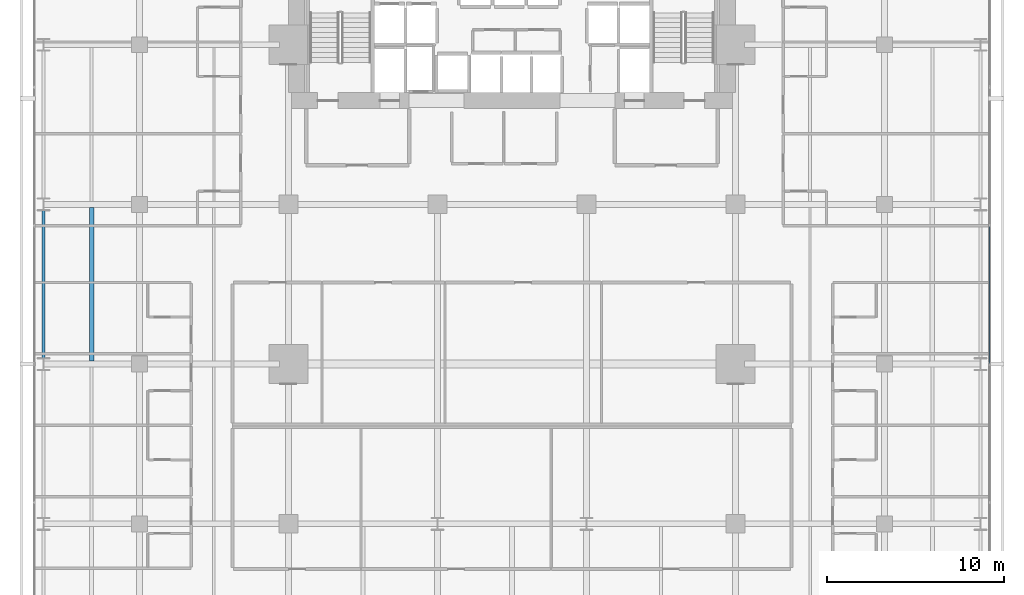
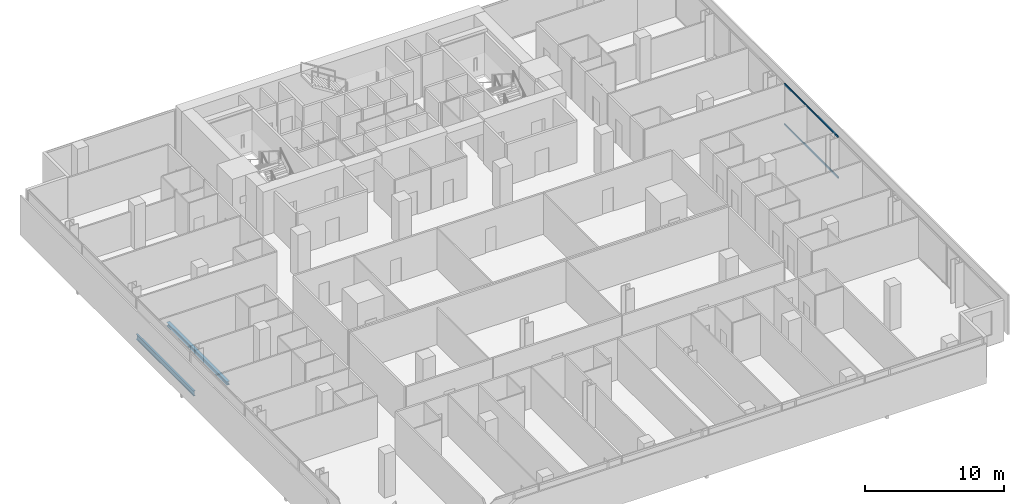
# One storey, part 20 of 41: 2 beams, 2 members, 1 element without a shape of its own.
"""IFC4 building model written with IfcOpenShell, lengths in metres."""

from ifc_helpers import new_model, si_unit, direction, frame, origin, origin_2d, place, context, subcontext, project, spatial, hollow_rectangle, i_section, extrude, material, layer, layer_set, material_profile, profile_set, type_object, element, aggregate, save


model = new_model("IFC4")

# Units and contexts
model_context = context("Model", 3, precision=1e-05, world=origin(), true_north=direction((0.0, 1.0)))
body_context = subcontext(model_context, "Body", "Model", "MODEL_VIEW")
ifc_project = project(units=[si_unit("LENGTHUNIT", "METRE"), si_unit("AREAUNIT", "SQUARE_METRE"), si_unit("VOLUMEUNIT", "CUBIC_METRE"), si_unit("PLANEANGLEUNIT", "RADIAN"), si_unit("MASSUNIT", "GRAM", prefix="KILO")], contexts=[model_context])

# Site, building, storey
site_placement = place(None, origin())
site = spatial("IfcSite", under=ifc_project, at=site_placement, CompositionType="ELEMENT")
building_placement = place(site_placement, origin())
building = spatial("IfcBuilding", under=site, at=building_placement, Name="Maruvema Waterfront Hotel and Observation Tower", CompositionType="ELEMENT")
storey_placement = place(building_placement, frame((0.0, 0.0, 84.699951171875)))
storey = spatial("IfcBuildingStorey", under=building, at=storey_placement, Name="L20", CompositionType="ELEMENT", Elevation=84.699951171875)

# Curtain wall, members
ifc_material_1 = material(Name="Anodised bronze aluminium and solar-control low-E IGU", Category="aluminium")
ifc_layer = layer(ifc_material_1, 0.159912109375, Name="Zone 1 Bronze Inner Thermal Curtain Wall System CW-02")
ifc_layer_set = layer_set([ifc_layer], Name="Anodised bronze aluminium and solar-control low-E IGU")
curtain_wall_type = type_object("IfcCurtainWallType", Name="Zone 1 Bronze Inner Thermal Curtain Wall System CW-02", PredefinedType="USERDEFINED", material=ifc_layer_set)
curtain_wall_placement = place(storey_placement, origin())
curtain_wall = element("IfcCurtainWall", 1, at=curtain_wall_placement, inside=storey, type_object=curtain_wall_type, Name="L20 Curtain Wall CW-L20-E", ObjectType="UNITISED CURTAIN WALL", PredefinedType="USERDEFINED")
ifc_material_2 = material(Name="Anodised architectural bronze aluminium", Category="aluminium")
ifc_material_profile_1 = material_profile(ifc_material_2, hollow_rectangle(XDim=0.070068359375, YDim=0.14990234375, WallThickness=0.00390625, at=origin_2d()), Name="ALU-T70x150")
ifc_profile_set_1 = profile_set([ifc_material_profile_1], Name="Anodised architectural bronze aluminium")
member_type = type_object("IfcMemberType", Name="Curtain Wall Horizontal Transom ALU-T70x150", PredefinedType="USERDEFINED", material=ifc_profile_set_1)
member_1_placement = place(storey_placement, frame((64.719970703125, 27.030029296875, 0.030029296875), z_axis=(0.0, 1.0, 0.0), x_axis=(-1.0, 0.0, 0.0)))
member_1 = element("IfcMember", 2, at=member_1_placement, type_object=member_type, Name="CW-02 transom 4.1", ObjectType="TRANSOM", PredefinedType="USERDEFINED", context=body_context, shape_type="SweptSolid", body=[
    extrude(hollow_rectangle(XDim=0.070068359375, YDim=0.14990234375, WallThickness=0.00390625, at=origin_2d()), origin(), (0.0, 0.0, 1.0), 7.739990234375),
])
member_2_placement = place(storey_placement, frame((64.719970703125, 27.030029296875, 3.580078125), z_axis=(0.0, 1.0, 0.0), x_axis=(-1.0, 0.0, 0.0)))
member_2 = element("IfcMember", 3, at=member_2_placement, type_object=member_type, Name="CW-02 transom 4.2", ObjectType="TRANSOM", PredefinedType="USERDEFINED", context=body_context, shape_type="SweptSolid", body=[
    extrude(hollow_rectangle(XDim=0.070068359375, YDim=0.14990234375, WallThickness=0.00390625, at=origin_2d()), origin(), (0.0, 0.0, 1.0), 7.739990234375),
])
aggregate(curtain_wall, [member_1, member_2])

# Beams
ifc_material_3 = material(Name="Steel ASTM A572 Grade 50", Category="steel")
ifc_material_profile_2 = material_profile(ifc_material_3, i_section(OverallWidth=0.153076171875, OverallDepth=0.455078125, WebThickness=0.008056640625, FlangeThickness=0.01318359375, FilletRadius=0.014892578125, at=origin_2d()), Name="W460x60.0")
ifc_profile_set_2 = profile_set([ifc_material_profile_2], Name="Steel ASTM A572 Grade 50")
beam_type_1 = type_object("IfcBeamType", Name="Perimeter Spandrel Beam W460x60.0", PredefinedType="SPANDREL", material=ifc_profile_set_2)
beam_1_placement = place(storey_placement, frame((11.39990234375, 27.35009765625, -0.467529296875), z_axis=(0.0, 1.0, 0.0), x_axis=(-1.0, 0.0, 0.0)))
element("IfcBeam", 4, at=beam_1_placement, inside=storey, type_object=beam_type_1, Name="L20 Floor Girder NS-03", PredefinedType="SPANDREL", context=body_context, shape_type="SweptSolid", body=[
    extrude(i_section(OverallWidth=0.153076171875, OverallDepth=0.455078125, WebThickness=0.008056640625, FlangeThickness=0.01318359375, FilletRadius=0.014892578125, at=origin_2d()), origin(), (0.0, 0.0, 1.0), 8.2998046875),
])
ifc_material_4 = material(Name="Steel ASTM A572 Grade 50", Category="steel")
ifc_material_profile_3 = material_profile(ifc_material_4, i_section(OverallWidth=0.25390625, OverallDepth=0.305908203125, WebThickness=0.0087890625, FlangeThickness=0.0146484375, FilletRadius=0.014892578125, at=origin_2d()), Name="W310x79.0")
ifc_profile_set_3 = profile_set([ifc_material_profile_3], Name="Steel ASTM A572 Grade 50")
beam_type_2 = type_object("IfcBeamType", Name="Secondary Floor Joist W310x79.0", PredefinedType="JOIST", material=ifc_profile_set_3)
beam_2_placement = place(storey_placement, frame((14.10009765625, 27.162109375, -0.39306640625), z_axis=(0.0, 1.0, 0.0), x_axis=(-1.0, 0.0, 0.0)))
element("IfcBeam", 5, at=beam_2_placement, inside=storey, type_object=beam_type_2, Name="L20 Secondary Floor Joist JS-03", PredefinedType="JOIST", context=body_context, shape_type="SweptSolid", body=[
    extrude(i_section(OverallWidth=0.25390625, OverallDepth=0.305908203125, WebThickness=0.0087890625, FlangeThickness=0.0146484375, FilletRadius=0.014892578125, at=origin_2d()), origin(), (0.0, 0.0, 1.0), 8.67578125),
])

save(model, "model.ifc")
